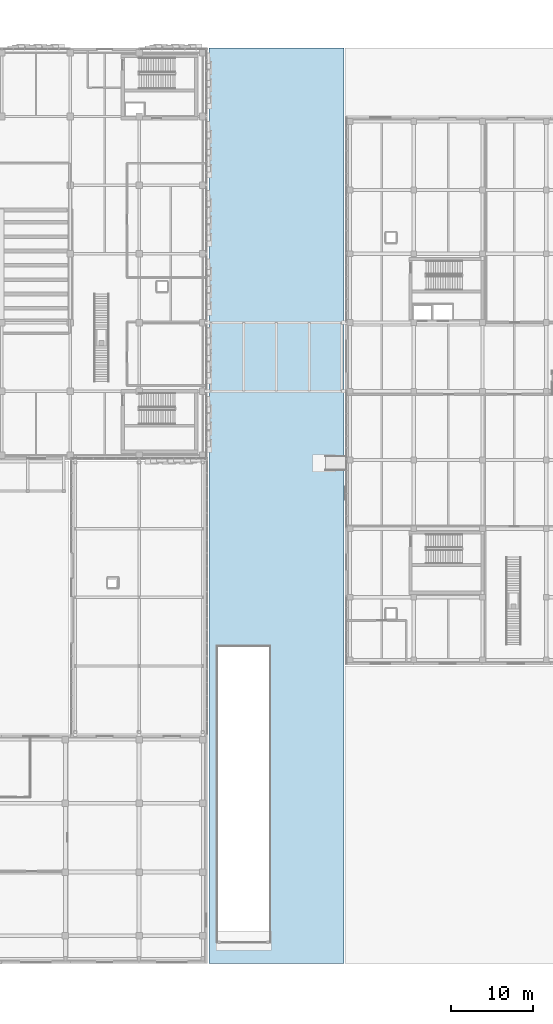
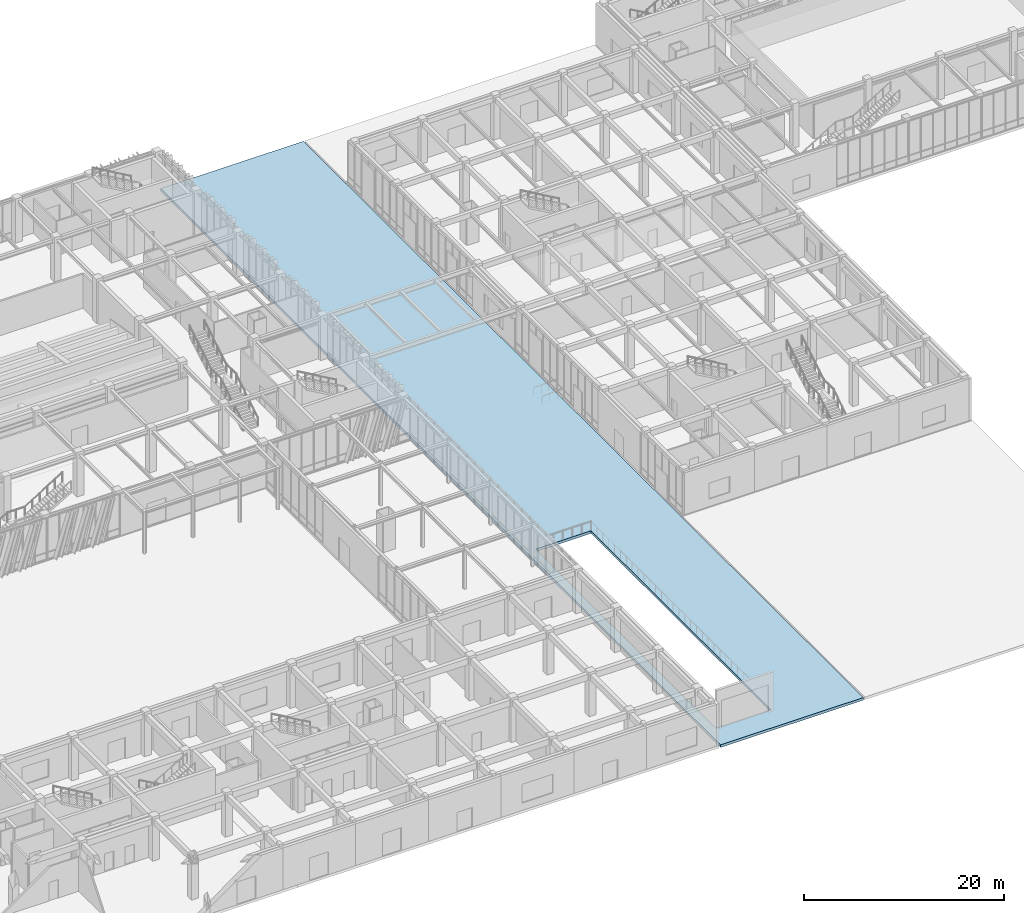
# One storey, part 81 of 122: 1 slab.
"""IFC4 building model written with IfcOpenShell, lengths in metres."""

from ifc_helpers import new_model, si_unit, direction, frame, origin, place, context, subcontext, project, spatial, polyline, outline, extrude, material, layer, layer_set, type_object, element, save


model = new_model("IFC4")

# Units and contexts
model_context = context("Model", 3, precision=1e-05, world=origin(), true_north=direction((0.0, 1.0)))
body_context = subcontext(model_context, "Body", "Model", "MODEL_VIEW")
ifc_project = project(units=[si_unit("LENGTHUNIT", "METRE"), si_unit("AREAUNIT", "SQUARE_METRE"), si_unit("VOLUMEUNIT", "CUBIC_METRE"), si_unit("PLANEANGLEUNIT", "RADIAN"), si_unit("MASSUNIT", "GRAM", prefix="KILO")], contexts=[model_context])

# Site, building, storey
site_placement = place(None, origin())
site = spatial("IfcSite", under=ifc_project, at=site_placement, CompositionType="ELEMENT")
building_placement = place(site_placement, origin())
building = spatial("IfcBuilding", under=site, at=building_placement, Name="Zayran Congress Hotel", CompositionType="ELEMENT")
storey_placement = place(building_placement, origin())
storey = spatial("IfcBuildingStorey", under=building, at=storey_placement, Name="L00", CompositionType="ELEMENT", Elevation=0.0)

# Slab
ifc_material = material(Name="Concrete C32/40", Category="concrete")
ifc_layer = layer(ifc_material, 0.320068359375)
ifc_layer_set = layer_set([ifc_layer], Name="Concrete C32/40")
slab_type = type_object("IfcSlabType", Name="SL-PD-320", PredefinedType="FLOOR", material=ifc_layer_set)
slab_placement = place(storey_placement, frame((0.0, 0.0, -0.320068359375)))
element("IfcSlab", 1, at=slab_placement, inside=storey, type_object=slab_type, Name="Outdoor Wadi Passage Grade Paving Slab", PredefinedType="BASESLAB", context=body_context, shape_type="SweptSolid", body=[
    extrude(outline(polyline([(92.550048828125, 6.0), (109.050048828125, 6.0), (109.050048828125, 118.0), (92.550048828125, 118.0), (92.550048828125, 6.0)]), holes=[polyline([(93.60009765625, 8.800048828125), (100.0, 8.800048828125), (100.0, 44.800048828125), (93.60009765625, 44.800048828125), (93.60009765625, 8.800048828125)])]), origin(), (0.0, 0.0, 1.0), 0.320068359375),
])

save(model, "model.ifc")
